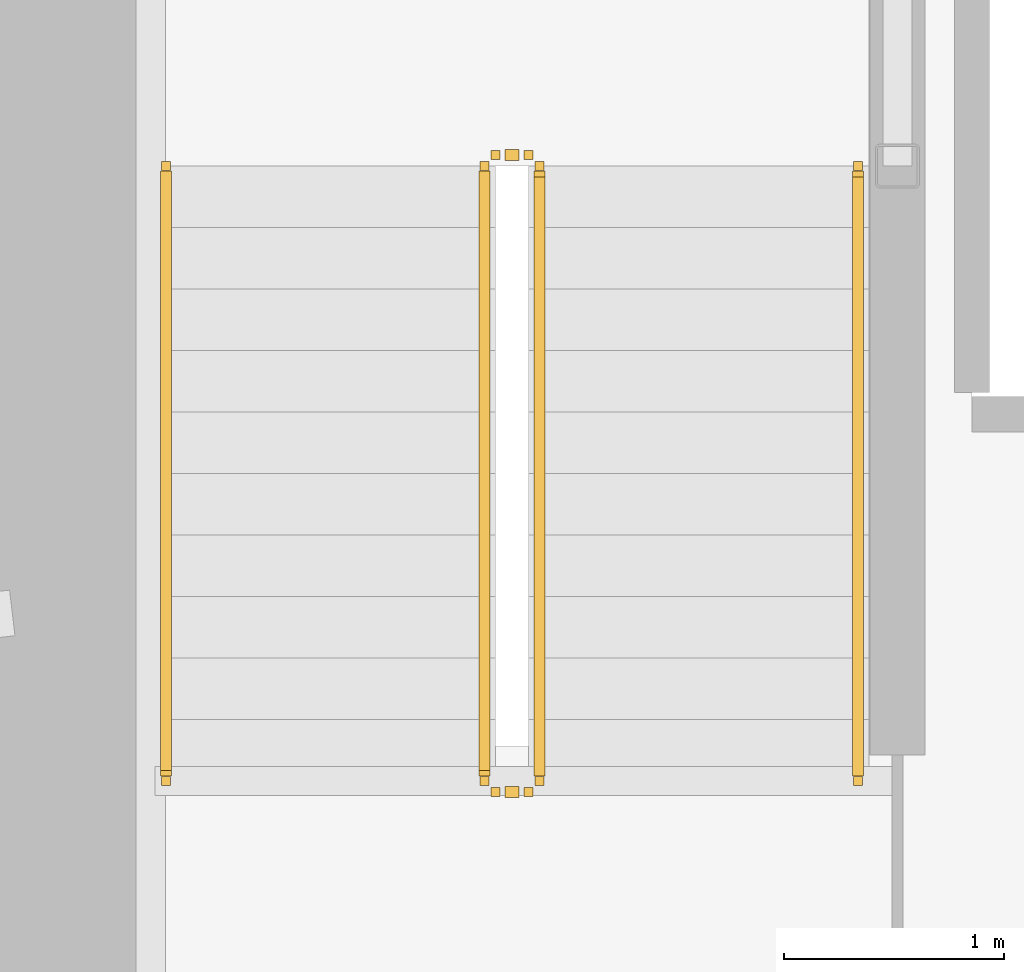
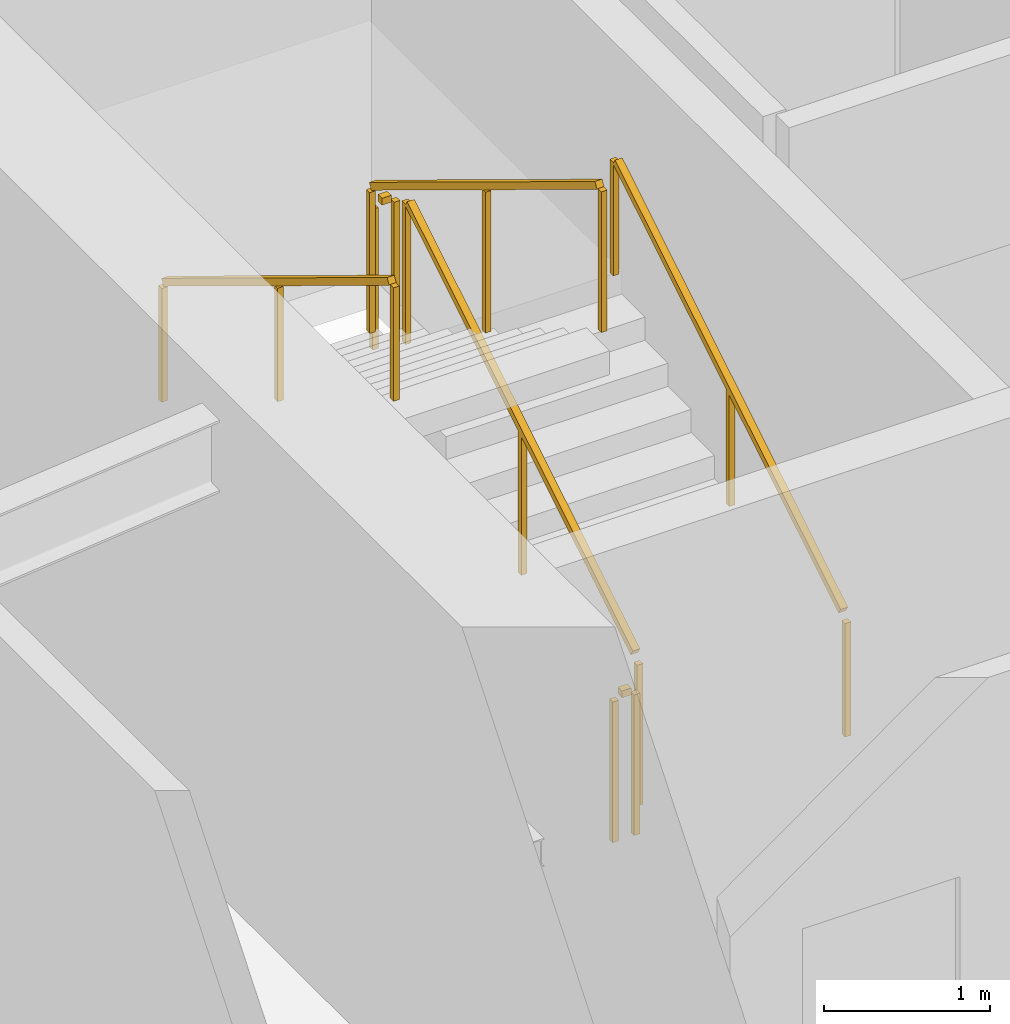
# One storey, part 17 of 22: 6 railings.
"""IFC4 building model written with IfcOpenShell, lengths in metres."""

import ifcopenshell
import ifcopenshell.guid

model = None  # the IFC model being written
_history = None  # IfcOwnerHistory: only IFC2X3 demands one
_inside = {}  # id of a spatial element -> (the spatial element, [elements in it])
_under = {}  # id of a project, library or spatial element -> (it, [spatial elements below it])
_declared = {}  # id of a project -> (the project, [libraries it declares])
_typed = {}  # id of a type object -> (the type object, [elements of that type])
_made_of = {}  # id of a material, layer set ... -> (it, [elements and type objects made of it])


def new_model(schema):
    """Start an empty IFC model of exactly this schema.

    Asked for "IFC4X3", IfcOpenShell would pick the latest addendum, in which some entities
    have other attributes; the version numbers below select the first issue.
    IFC2X3 requires an IfcOwnerHistory on every rooted entity: one is made here for all.
    """
    global model, _history
    if schema == "IFC4X3":
        model = ifcopenshell.file(schema_version=(4, 3, 0, 0))
    else:
        model = ifcopenshell.file(schema=schema)
    _inside.clear()
    _under.clear()
    _declared.clear()
    _typed.clear()
    _made_of.clear()
    _history = None
    if model.schema == "IFC2X3":
        org = make("IfcOrganization", Name="unknown")
        user = make(
            "IfcPersonAndOrganization",
            ThePerson=make("IfcPerson", FamilyName="unknown"),
            TheOrganization=org,
        )
        app = make(
            "IfcApplication",
            ApplicationDeveloper=org,
            Version="unknown",
            ApplicationFullName="unknown",
            ApplicationIdentifier="unknown",
        )
        _history = make(
            "IfcOwnerHistory",
            OwningUser=user,
            OwningApplication=app,
            ChangeAction="ADDED",
            CreationDate=0,
        )
    return model


def make(cls, **values):
    """One entity of the class cls with the attributes given. An attribute that is None is left unset."""
    return model.create_entity(
        cls, **{name: value for name, value in values.items() if value is not None}
    )


def rooted(cls, **values):
    """An entity with a GlobalId (a new one), such as an element, a storey or a relation."""
    return make(cls, GlobalId=ifcopenshell.guid.new(), OwnerHistory=_history, **values)


def si_unit(unit_type, name, prefix=None):
    """IfcSIUnit, for example si_unit("LENGTHUNIT", "METRE", prefix="MILLI")."""
    return make("IfcSIUnit", UnitType=unit_type, Prefix=prefix, Name=name)


def assignment(units):
    """IfcUnitAssignment: the units of a project."""
    return None if units is None else make("IfcUnitAssignment", Units=units)


def point(xyz):
    """IfcCartesianPoint."""
    return None if xyz is None else make("IfcCartesianPoint", Coordinates=xyz)


def direction(xyz):
    """IfcDirection."""
    return None if xyz is None else make("IfcDirection", DirectionRatios=xyz)


def frame(location, z_axis=None, x_axis=None):
    """IfcAxis2Placement3D, a coordinate frame: its origin and axes. An axis left out is left unset."""
    return make(
        "IfcAxis2Placement3D",
        Location=point(location),
        Axis=direction(z_axis),
        RefDirection=direction(x_axis),
    )


def frame_2d(location, x_axis=None):
    """IfcAxis2Placement2D, a coordinate frame in the plane: its origin and x axis."""
    return make(
        "IfcAxis2Placement2D", Location=point(location), RefDirection=direction(x_axis)
    )


def origin():
    """The frame at (0, 0, 0) with its axes left unset."""
    return frame((0.0, 0.0, 0.0))


def origin_2d():
    """The frame at (0, 0) in the plane with its x axis left unset."""
    return frame_2d((0.0, 0.0))


def place(relative_to, where):
    """IfcLocalPlacement: puts the frame where relative to a parent placement (None: the world)."""
    return make(
        "IfcLocalPlacement", PlacementRelTo=relative_to, RelativePlacement=where
    )


def context(
    kind, dimensions, precision=None, world=None, true_north=None, identifier=None
):
    """IfcGeometricRepresentationContext, for example the 3D "Model" context."""
    return make(
        "IfcGeometricRepresentationContext",
        ContextIdentifier=identifier,
        ContextType=kind,
        CoordinateSpaceDimension=dimensions,
        Precision=precision,
        WorldCoordinateSystem=world,
        TrueNorth=true_north,
    )


def subcontext(parent, identifier, kind, view, scale=None):
    """IfcGeometricRepresentationSubContext, for example "Body" below "Model"."""
    return make(
        "IfcGeometricRepresentationSubContext",
        ContextIdentifier=identifier,
        ContextType=kind,
        ParentContext=parent,
        TargetScale=scale,
        TargetView=view,
    )


def project(units=None, contexts=None):
    """IfcProject with its units and contexts."""
    return rooted(
        "IfcProject",
        Name="project",
        RepresentationContexts=contexts,
        UnitsInContext=assignment(units),
    )


def spatial(cls, under=None, at=None, **own):
    """A site, building, storey or space (cls), placed at a placement, below another one or the project."""
    s = rooted(cls, ObjectPlacement=at, **own)
    if under is not None:
        _under.setdefault(under.id(), (under, []))[1].append(s)
    return s


def profile(cls, at=None, kind="AREA", **sizes):
    """A parametric profile (cls). Its sizes go by their IFC names, for example OverallWidth=200.0."""
    return make(cls, ProfileType=kind, Position=at, **sizes)


def rectangle(**sizes):
    """IfcRectangleProfileDef."""
    return profile("IfcRectangleProfileDef", **sizes)


def extrude(swept, where, along, depth):
    """IfcExtrudedAreaSolid: the profile swept, set in the frame where, extruded along a direction by depth."""
    return make(
        "IfcExtrudedAreaSolid",
        SweptArea=swept,
        Position=where,
        ExtrudedDirection=direction(along),
        Depth=depth,
    )


def shape(context_of_items, identifier, shape_type, items):
    """IfcShapeRepresentation: the items that make up one representation, for example the "Body"."""
    return make(
        "IfcShapeRepresentation",
        ContextOfItems=context_of_items,
        RepresentationIdentifier=identifier,
        RepresentationType=shape_type,
        Items=items,
    )


def material(Name=None, Category=None):
    """IfcMaterial."""
    return make("IfcMaterial", Name=Name, Category=Category)


def made_of(thing, what):
    """Note that an element or type object is made of a material, layer set ...; save() writes the relation."""
    if what is not None:
        _made_of.setdefault(what.id(), (what, []))[1].append(thing)
    return thing


def type_object(cls, material=None, **own):
    """A type object (cls), such as IfcWallType, which elements share."""
    return made_of(rooted(cls, **own), material)


def element(
    cls,
    number,
    at=None,
    inside=None,
    cuts=None,
    type_object=None,
    material=None,
    context=None,
    identifier="Body",
    shape_type=None,
    held_by="IfcProductDefinitionShape",
    body=None,
    shapes=None,
    **own,
):
    """One element of the class cls, such as IfcWall. Its Tag is "e" and its number.

    at: its placement. inside: the storey or other place that contains it. cuts: it is an
    opening in that element (IfcRelVoidsElement). A single representation is given by context,
    identifier, shape_type and body (its items); several are given by shapes. held_by: the class
    of the entity that holds the representations. save() writes the other relations.
    """
    e = rooted(cls, Tag="e%d" % number, ObjectPlacement=at, **own)
    if body is not None:
        shapes = [shape(context, identifier, shape_type, body)]
    if shapes is not None:
        e.Representation = make(held_by, Representations=shapes)
    if inside is not None:
        _inside.setdefault(inside.id(), (inside, []))[1].append(e)
    if cuts is not None:
        rooted(
            "IfcRelVoidsElement", RelatingBuildingElement=cuts, RelatedOpeningElement=e
        )
    if type_object is not None:
        _typed.setdefault(type_object.id(), (type_object, []))[1].append(e)
    return made_of(e, material)


def aggregate(whole, parts):
    """IfcRelAggregates: a whole, such as a stair, and the parts it consists of."""
    return rooted("IfcRelAggregates", RelatingObject=whole, RelatedObjects=parts)


def save(model, path):
    """Write the relations noted so far, then the file.

    IfcRelAggregates (storeys below a building ...), IfcRelContainedInSpatialStructure (elements
    in a storey), IfcRelDefinesByType, IfcRelAssociatesMaterial and IfcRelDeclares: one each for
    every whole, place, type object, material and project.
    """
    for whole, parts in _under.values():
        aggregate(whole, parts)
    for where, things in _inside.values():
        rooted(
            "IfcRelContainedInSpatialStructure",
            RelatedElements=things,
            RelatingStructure=where,
        )
    for kind, things in _typed.values():
        rooted("IfcRelDefinesByType", RelatedObjects=things, RelatingType=kind)
    for what, things in _made_of.values():
        rooted("IfcRelAssociatesMaterial", RelatedObjects=things, RelatingMaterial=what)
    for by, libraries in _declared.values():
        rooted("IfcRelDeclares", RelatingContext=by, RelatedDefinitions=libraries)
    model.write(path)


model = new_model("IFC4")

# Units and contexts
model_context = context("Model", 3, precision=1e-05, world=origin(), true_north=direction((0.0, 1.0)))
body_context = subcontext(model_context, "Body", "Model", "MODEL_VIEW")
ifc_project = project(units=[si_unit("LENGTHUNIT", "METRE"), si_unit("AREAUNIT", "SQUARE_METRE"), si_unit("VOLUMEUNIT", "CUBIC_METRE"), si_unit("PLANEANGLEUNIT", "RADIAN"), si_unit("MASSUNIT", "GRAM", prefix="KILO")], contexts=[model_context])

# Site, building, storey
site_placement = place(None, origin())
site = spatial("IfcSite", under=ifc_project, at=site_placement, CompositionType="ELEMENT")
building_placement = place(site_placement, origin())
building = spatial("IfcBuilding", under=site, at=building_placement, Name="Kazma Halo Residences", CompositionType="ELEMENT")
storey_placement = place(building_placement, frame((0.0, 0.0, 93.89990234375)))
storey = spatial("IfcBuildingStorey", under=building, at=storey_placement, Name="L23", CompositionType="ELEMENT", Elevation=93.89990234375)

# Railings
ifc_material_1 = material(Name="Painted Steel S355", Category="steel")
railing_type_1 = type_object("IfcRailingType", Name="RLG-STAIR-GRD-1100", PredefinedType="GUARDRAIL", material=ifc_material_1)
railing_1_placement = place(storey_placement, frame((39.550048828125, 39.949951171875, 0.170654296875)))
element("IfcRailing", 1, at=railing_1_placement, inside=storey, type_object=railing_type_1, Name="L23 ST-01 stair guard 1", PredefinedType="GUARDRAIL", context=body_context, shape_type="SweptSolid", body=[
    extrude(rectangle(XDim=0.050048828125, YDim=0.050048828125, at=origin_2d()), frame((0.0, 0.036376953125, 1.09716796875), z_axis=(0.0, 0.854202870247, 0.519939858505), x_axis=(-1.0, 0.0, 0.0)), (0.0, 0.0, 1.0), 3.19287109375),
    extrude(rectangle(XDim=0.0400390625, YDim=0.0400390625, at=origin_2d()), origin(), (0.0, 0.0, 1.0), 1.0380859375),
    extrude(rectangle(XDim=0.0400390625, YDim=0.0400390625, at=origin_2d()), frame((0.0, 1.39990234375, 0.85205078125)), (0.0, 0.0, 1.0), 1.0380859375),
    extrude(rectangle(XDim=0.0400390625, YDim=0.0400390625, at=origin_2d()), frame((0.0, 2.800048828125, 1.704345703125)), (0.0, 0.0, 1.0), 1.0380859375),
])
railing_2_placement = place(storey_placement, frame((39.5, 42.800048828125, 1.875)))
element("IfcRailing", 2, at=railing_2_placement, inside=storey, type_object=railing_type_1, Name="L23 ST-01 stair guard 2", PredefinedType="GUARDRAIL", context=body_context, shape_type="SweptSolid", body=[
    extrude(rectangle(XDim=0.050048828125, YDim=0.050048828125, at=origin_2d()), frame((-0.04248046875, 0.0, 1.0751953125), z_axis=(-1.0, 0.0, 0.0), x_axis=(0.0, -1.0, 0.0)), (0.0, 0.0, 1.0), 0.06494140625),
    extrude(rectangle(XDim=0.0400390625, YDim=0.0400390625, at=origin_2d()), origin(), (0.0, 0.0, 1.0), 1.0380859375),
    extrude(rectangle(XDim=0.0400390625, YDim=0.0400390625, at=origin_2d()), frame((-0.14990234375, 0.0, 0.0)), (0.0, 0.0, 1.0), 1.0380859375),
])
railing_3_placement = place(storey_placement, frame((39.300048828125, 42.75, 2.045654296875)))
element("IfcRailing", 3, at=railing_3_placement, inside=storey, type_object=railing_type_1, Name="L23 ST-01 stair guard 3", PredefinedType="GUARDRAIL", context=body_context, shape_type="SweptSolid", body=[
    extrude(rectangle(XDim=0.050048828125, YDim=0.050048828125, at=origin_2d()), frame((0.0, -0.036376953125, 1.09716796875), z_axis=(0.0, -0.854202870247, 0.519939858505), x_axis=(1.0, 0.0, 0.0)), (0.0, 0.0, 1.0), 3.19287109375),
    extrude(rectangle(XDim=0.0400390625, YDim=0.0400390625, at=origin_2d()), origin(), (0.0, 0.0, 1.0), 1.0380859375),
    extrude(rectangle(XDim=0.0400390625, YDim=0.0400390625, at=origin_2d()), frame((0.0, -1.39990234375, 0.85205078125)), (0.0, 0.0, 1.0), 1.0380859375),
    extrude(rectangle(XDim=0.0400390625, YDim=0.0400390625, at=origin_2d()), frame((0.0, -2.800048828125, 1.704345703125)), (0.0, 0.0, 1.0), 1.0380859375),
])
railing_4_placement = place(storey_placement, frame((39.5, 39.89990234375, 0.0)))
element("IfcRailing", 4, at=railing_4_placement, inside=storey, type_object=railing_type_1, Name="L23 ST-01 stair guard 4", PredefinedType="GUARDRAIL", context=body_context, shape_type="SweptSolid", body=[
    extrude(rectangle(XDim=0.050048828125, YDim=0.050048828125, at=origin_2d()), frame((-0.04248046875, 0.0, 1.0751953125), z_axis=(-1.0, 0.0, 0.0), x_axis=(0.0, -1.0, 0.0)), (0.0, 0.0, 1.0), 0.06494140625),
    extrude(rectangle(XDim=0.0400390625, YDim=0.0400390625, at=origin_2d()), origin(), (0.0, 0.0, 1.0), 1.0380859375),
    extrude(rectangle(XDim=0.0400390625, YDim=0.0400390625, at=origin_2d()), frame((-0.14990234375, 0.0, 0.0)), (0.0, 0.0, 1.0), 1.0380859375),
])
ifc_material_2 = material(Name="Brushed Stainless Steel", Category="steel")
railing_type_2 = type_object("IfcRailingType", Name="RLG-STAIR-HND-900", PredefinedType="HANDRAIL", material=ifc_material_2)
railing_5_placement = place(storey_placement, frame((41.0, 39.949951171875, 0.170654296875)))
element("IfcRailing", 5, at=railing_5_placement, inside=storey, type_object=railing_type_2, Name="L23 ST-01 stair handrail 1", PredefinedType="HANDRAIL", context=body_context, shape_type="SweptSolid", body=[
    extrude(rectangle(XDim=0.050048828125, YDim=0.050048828125, at=origin_2d()), frame((0.0, 0.036376953125, 0.89697265625), z_axis=(0.0, 0.854202870247, 0.519939858505), x_axis=(-1.0, 0.0, 0.0)), (0.0, 0.0, 1.0), 3.19287109375),
    extrude(rectangle(XDim=0.0400390625, YDim=0.0400390625, at=origin_2d()), origin(), (0.0, 0.0, 1.0), 0.837890625),
    extrude(rectangle(XDim=0.0400390625, YDim=0.0400390625, at=origin_2d()), frame((0.0, 1.39990234375, 0.85205078125)), (0.0, 0.0, 1.0), 0.837890625),
    extrude(rectangle(XDim=0.0400390625, YDim=0.0400390625, at=origin_2d()), frame((0.0, 2.800048828125, 1.704345703125)), (0.0, 0.0, 1.0), 0.837890625),
])
railing_6_placement = place(storey_placement, frame((37.85009765625, 42.75, 2.045654296875)))
element("IfcRailing", 6, at=railing_6_placement, inside=storey, type_object=railing_type_2, Name="L23 ST-01 stair handrail 2", PredefinedType="HANDRAIL", context=body_context, shape_type="SweptSolid", body=[
    extrude(rectangle(XDim=0.050048828125, YDim=0.050048828125, at=origin_2d()), frame((0.0, -0.036376953125, 0.89697265625), z_axis=(0.0, -0.854202870247, 0.519939858505), x_axis=(1.0, 0.0, 0.0)), (0.0, 0.0, 1.0), 3.19287109375),
    extrude(rectangle(XDim=0.0400390625, YDim=0.0400390625, at=origin_2d()), origin(), (0.0, 0.0, 1.0), 0.837890625),
    extrude(rectangle(XDim=0.0400390625, YDim=0.0400390625, at=origin_2d()), frame((0.0, -1.39990234375, 0.85205078125)), (0.0, 0.0, 1.0), 0.837890625),
    extrude(rectangle(XDim=0.0400390625, YDim=0.0400390625, at=origin_2d()), frame((0.0, -2.800048828125, 1.704345703125)), (0.0, 0.0, 1.0), 0.837890625),
])

save(model, "model.ifc")
